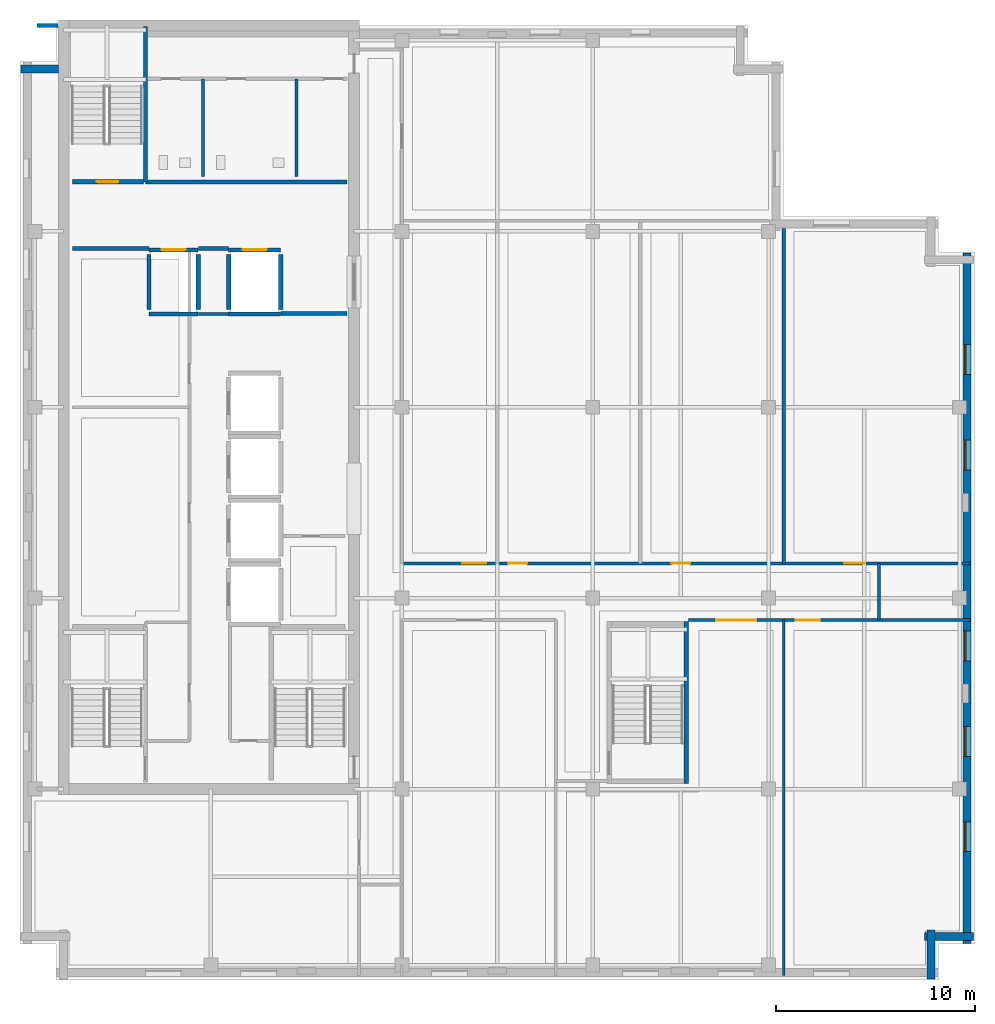
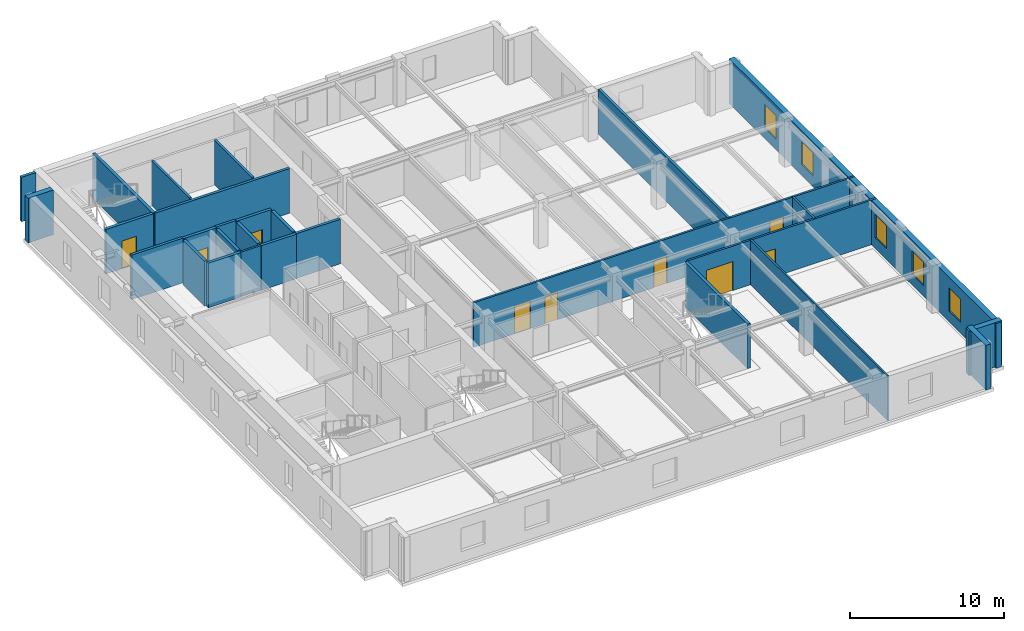
# One storey, part 5 of 11: 28 walls, 9 doors, 5 windows, 14 openings.
"""IFC4 building model written with IfcOpenShell, lengths in metres."""

from ifc_helpers import new_model, si_unit, direction, frame, frame_2d, origin, place, context, subcontext, project, spatial, rectangle, extrude, material, layer, layer_set, type_object, element, fill, save


model = new_model("IFC4")

# Units and contexts
model_context = context("Model", 3, precision=1e-05, world=origin(), true_north=direction((0.0, 1.0)))
body_context = subcontext(model_context, "Body", "Model", "MODEL_VIEW")
ifc_project = project(units=[si_unit("LENGTHUNIT", "METRE"), si_unit("AREAUNIT", "SQUARE_METRE"), si_unit("VOLUMEUNIT", "CUBIC_METRE"), si_unit("PLANEANGLEUNIT", "RADIAN"), si_unit("MASSUNIT", "GRAM", prefix="KILO")], contexts=[model_context])

# Site, building, storey
site_placement = place(None, origin())
site = spatial("IfcSite", under=ifc_project, at=site_placement, CompositionType="ELEMENT")
building_placement = place(site_placement, origin())
building = spatial("IfcBuilding", under=site, at=building_placement, Name="Norrvale University Quadrangle", CompositionType="ELEMENT")
storey_placement = place(building_placement, frame((0.0, 0.0, 284.800048828125)))
storey = spatial("IfcBuildingStorey", under=building, at=storey_placement, Name="L72", CompositionType="ELEMENT", Elevation=284.800048828125)

# Walls
ifc_material_1 = material(Name="Standard Academic Gypsum Partition")
ifc_layer_1 = layer(ifc_material_1, 0.125, Name="Standard Academic Gypsum Partition")
ifc_layer_set_1 = layer_set([ifc_layer_1], Name="Standard Academic Gypsum Partition")
wall_type_1 = type_object("IfcWallType", Name="Wall Gypsum Academic 125", PredefinedType="PARTITIONING", material=ifc_layer_set_1)
wall_1_placement = place(storey_placement, frame((38.39990234375, 0.219970703125, 0.0), z_axis=(0.0, 0.0, 1.0), x_axis=(0.0, 1.0, 0.0)))
element("IfcWall", 1, at=wall_1_placement, inside=storey, type_object=wall_type_1, Name="Interior Partition WL-L72-SEP2", PredefinedType="PARTITIONING", context=body_context, shape_type="SweptSolid", body=[
    extrude(rectangle(XDim=17.880126953125, YDim=0.125, at=frame_2d((8.93994140625, 0.0))), origin(), (0.0, 0.0, 1.0), 3.5400390625),
])
ifc_material_2 = material(Name="Fire-Rated Gypsum Stud Partition")
ifc_layer_2 = layer(ifc_material_2, 0.14990234375, Name="Fire-Rated Gypsum Stud Partition")
ifc_layer_set_2 = layer_set([ifc_layer_2], Name="Fire-Rated Gypsum Stud Partition")
wall_type_2 = type_object("IfcWallType", Name="Wall Gypsum Corridor 150", PredefinedType="PARTITIONING", material=ifc_layer_set_2)
wall_2_placement = place(storey_placement, frame((8.965087890625, 33.489990234375, 0.0), z_axis=(0.0, 0.0, 1.0), x_axis=(1.0, 0.0, 0.0)))
element("IfcWall", 2, at=wall_2_placement, inside=storey, type_object=wall_type_2, Name="Interior Partition WL-L72-LL3", PredefinedType="PARTITIONING", context=body_context, shape_type="SweptSolid", body=[
    extrude(rectangle(XDim=1.52001953125, YDim=0.14990234375, at=frame_2d((0.760009765625, 0.0))), origin(), (0.0, 0.0, 1.0), 3.5400390625),
])
wall_3_placement = place(storey_placement, frame((43.199951171875, 18.10009765625, 0.0), z_axis=(0.0, 0.0, 1.0), x_axis=(0.0, 1.0, 0.0)))
element("IfcWall", 3, at=wall_3_placement, inside=storey, type_object=wall_type_2, Name="Interior Partition WL-L72-CESP-E", PredefinedType="PARTITIONING", context=body_context, shape_type="SweptSolid", body=[
    extrude(rectangle(XDim=2.849853515625, YDim=0.14990234375, at=frame_2d((1.4248046875, 0.0))), origin(), (0.0, 0.0, 1.0), 3.5400390625),
])

# Wall, openings, doors
wall_4_placement = place(storey_placement, frame((33.6201171875, 18.10009765625, 0.0), z_axis=(0.0, 0.0, 1.0), x_axis=(1.0, 0.0, 0.0)))
wall_4 = element("IfcWall", 4, at=wall_4_placement, inside=storey, type_object=wall_type_2, Name="Interior Partition WL-L72-SEW2", PredefinedType="PARTITIONING", context=body_context, shape_type="SweptSolid", body=[
    extrude(rectangle(XDim=14.159912109375, YDim=0.14990234375, at=frame_2d((7.080078125, 0.0))), origin(), (0.0, 0.0, 1.0), 3.5400390625),
])
opening_1_placement = place(wall_4_placement, frame((1.39990234375, 0.0, 0.0)))
opening_1 = element("IfcOpeningElement", 5, at=opening_1_placement, cuts=wall_4, Name="Opening D06", PredefinedType="OPENING", context=body_context, shape_type="SweptSolid", body=[
    extrude(rectangle(XDim=2.0, YDim=2.300048828125, at=frame_2d((1.0, 1.14990234375))), frame((0.0, 0.0869140625, 0.0), z_axis=(0.0, -1.0, 0.0), x_axis=(1.0, 0.0, 0.0)), (0.0, 0.0, 1.0), 0.173828125),
])
opening_2_placement = place(wall_4_placement, frame((5.39990234375, 0.0, 0.0)))
opening_2 = element("IfcOpeningElement", 6, at=opening_2_placement, cuts=wall_4, Name="Opening D05", PredefinedType="OPENING", context=body_context, shape_type="SweptSolid", body=[
    extrude(rectangle(XDim=1.199951171875, YDim=2.199951171875, at=frame_2d((0.60009765625, 1.10009765625))), frame((0.0, 0.0869140625, 0.0), z_axis=(0.0, -1.0, 0.0), x_axis=(1.0, 0.0, 0.0)), (0.0, 0.0, 1.0), 0.173828125),
])
ifc_material_3 = material(Name="Acoustic Oak Classroom Door", Category="wood")
door_type_1 = type_object("IfcDoorType", Name="Door Classroom 1200x2200", OperationType="NOTDEFINED", PredefinedType="DOOR", material=ifc_material_3)
door_1_placement = place(opening_2_placement, origin())
door_1 = element("IfcDoor", 7, at=door_1_placement, inside=storey, type_object=door_type_1, Name="Door Classroom 1200x2200 DR-L72-SE3", OperationType="SINGLE_SWING_LEFT", OverallHeight=2.199951171875, OverallWidth=1.199951171875, PredefinedType="DOOR", context=body_context, shape_type="SweptSolid", body=[
    extrude(rectangle(XDim=1.199951171875, YDim=2.199951171875, at=frame_2d((0.60009765625, 1.10009765625))), frame((0.0, 0.02490234375, 0.0), z_axis=(0.0, -1.0, 0.0), x_axis=(1.0, 0.0, 0.0)), (0.0, 0.0, 1.0), 0.050048828125),
])
fill(opening_2, door_1)
ifc_material_4 = material(Name="Acoustic Oak Double Door", Category="wood")
door_type_2 = type_object("IfcDoorType", Name="Door Lecture Dbl 2000x2300", OperationType="DOUBLE_SWING_LEFT", PredefinedType="DOOR", material=ifc_material_4)
door_2_placement = place(opening_1_placement, origin())
door_2 = element("IfcDoor", 8, at=door_2_placement, inside=storey, type_object=door_type_2, Name="Door Lecture Dbl 2000x2300 DR-L72-SE2", OperationType="DOUBLE_SWING_LEFT", OverallHeight=2.300048828125, OverallWidth=2.0, PredefinedType="DOOR", context=body_context, shape_type="SweptSolid", body=[
    extrude(rectangle(XDim=2.0, YDim=2.300048828125, at=frame_2d((1.0, 1.14990234375))), frame((0.0, 0.02490234375, 0.0), z_axis=(0.0, -1.0, 0.0), x_axis=(1.0, 0.0, 0.0)), (0.0, 0.0, 1.0), 0.050048828125),
])
fill(opening_1, door_2)

wall_5_placement = place(storey_placement, frame((19.199951171875, 20.949951171875, 0.0), z_axis=(0.0, 0.0, 1.0), x_axis=(1.0, 0.0, 0.0)))
wall_5 = element("IfcWall", 9, at=wall_5_placement, inside=storey, type_object=wall_type_2, Name="Interior Partition WL-L72-MECW", PredefinedType="PARTITIONING", context=body_context, shape_type="SweptSolid", body=[
    extrude(rectangle(XDim=28.580078125, YDim=0.14990234375, at=frame_2d((14.2900390625, 0.0))), origin(), (0.0, 0.0, 1.0), 3.5400390625),
])
opening_3_placement = place(wall_5_placement, frame((3.050048828125, 0.0, 0.0)))
opening_3 = element("IfcOpeningElement", 10, at=opening_3_placement, cuts=wall_5, Name="Opening D05", PredefinedType="OPENING", context=body_context, shape_type="SweptSolid", body=[
    extrude(rectangle(XDim=1.199951171875, YDim=2.199951171875, at=frame_2d((0.60009765625, 1.10009765625))), frame((0.0, 0.0869140625, 0.0), z_axis=(0.0, -1.0, 0.0), x_axis=(1.0, 0.0, 0.0)), (0.0, 0.0, 1.0), 0.173828125),
])
opening_4_placement = place(wall_5_placement, frame((5.35009765625, 0.0, 0.0)))
opening_4 = element("IfcOpeningElement", 11, at=opening_4_placement, cuts=wall_5, Name="Opening D07", PredefinedType="OPENING", context=body_context, shape_type="SweptSolid", body=[
    extrude(rectangle(XDim=0.949951171875, YDim=2.14990234375, at=frame_2d((0.47509765625, 1.074951171875))), frame((0.0, 0.0869140625, 0.0), z_axis=(0.0, -1.0, 0.0), x_axis=(1.0, 0.0, 0.0)), (0.0, 0.0, 1.0), 0.173828125),
])
opening_5_placement = place(wall_5_placement, frame((13.550048828125, 0.0, 0.0)))
opening_5 = element("IfcOpeningElement", 12, at=opening_5_placement, cuts=wall_5, Name="Opening D07", PredefinedType="OPENING", context=body_context, shape_type="SweptSolid", body=[
    extrude(rectangle(XDim=0.949951171875, YDim=2.14990234375, at=frame_2d((0.47509765625, 1.074951171875))), frame((0.0, 0.0869140625, 0.0), z_axis=(0.0, -1.0, 0.0), x_axis=(1.0, 0.0, 0.0)), (0.0, 0.0, 1.0), 0.173828125),
])
opening_6_placement = place(wall_5_placement, frame((22.25, 0.0, 0.0)))
opening_6 = element("IfcOpeningElement", 13, at=opening_6_placement, cuts=wall_5, Name="Opening D04", PredefinedType="OPENING", context=body_context, shape_type="SweptSolid", body=[
    extrude(rectangle(XDim=1.0, YDim=2.199951171875, at=frame_2d((0.5, 1.10009765625))), frame((0.0, 0.0869140625, 0.0), z_axis=(0.0, -1.0, 0.0), x_axis=(1.0, 0.0, 0.0)), (0.0, 0.0, 1.0), 0.173828125),
])
door_3_placement = place(opening_3_placement, origin())
door_3 = element("IfcDoor", 14, at=door_3_placement, inside=storey, type_object=door_type_1, Name="Door Classroom 1200x2200 DR-L72-ME01", OperationType="SINGLE_SWING_LEFT", OverallHeight=2.199951171875, OverallWidth=1.199951171875, PredefinedType="DOOR", context=body_context, shape_type="SweptSolid", body=[
    extrude(rectangle(XDim=1.199951171875, YDim=2.199951171875, at=frame_2d((0.60009765625, 1.10009765625))), frame((0.0, 0.02490234375, 0.0), z_axis=(0.0, -1.0, 0.0), x_axis=(1.0, 0.0, 0.0)), (0.0, 0.0, 1.0), 0.050048828125),
])
fill(opening_3, door_3)
ifc_material_5 = material(Name="Solid-Core Oak Fire Door", Category="wood")
door_type_3 = type_object("IfcDoorType", Name="Door Corridor 1000x2200", OperationType="NOTDEFINED", PredefinedType="DOOR", material=ifc_material_5)
door_4_placement = place(opening_6_placement, origin())
door_4 = element("IfcDoor", 15, at=door_4_placement, inside=storey, type_object=door_type_3, Name="Door Corridor 1000x2200 DR-L72-ME04", OperationType="SINGLE_SWING_RIGHT", OverallHeight=2.199951171875, OverallWidth=1.0, PredefinedType="DOOR", context=body_context, shape_type="SweptSolid", body=[
    extrude(rectangle(XDim=1.0, YDim=2.199951171875, at=frame_2d((0.5, 1.10009765625))), frame((0.0, 0.02490234375, 0.0), z_axis=(0.0, -1.0, 0.0), x_axis=(1.0, 0.0, 0.0)), (0.0, 0.0, 1.0), 0.050048828125),
])
fill(opening_6, door_4)
ifc_material_6 = material(Name="Solid-Core Maple Door", Category="wood")
door_type_4 = type_object("IfcDoorType", Name="Door Office 950x2150", OperationType="NOTDEFINED", PredefinedType="DOOR", material=ifc_material_6)
door_5_placement = place(opening_4_placement, origin())
door_5 = element("IfcDoor", 16, at=door_5_placement, inside=storey, type_object=door_type_4, Name="Door Office 950x2150 DR-L72-ME02", OperationType="SINGLE_SWING_RIGHT", OverallHeight=2.14990234375, OverallWidth=0.949951171875, PredefinedType="DOOR", context=body_context, shape_type="SweptSolid", body=[
    extrude(rectangle(XDim=0.949951171875, YDim=2.14990234375, at=frame_2d((0.47509765625, 1.074951171875))), frame((0.0, 0.02490234375, 0.0), z_axis=(0.0, -1.0, 0.0), x_axis=(1.0, 0.0, 0.0)), (0.0, 0.0, 1.0), 0.050048828125),
])
fill(opening_4, door_5)
door_6_placement = place(opening_5_placement, origin())
door_6 = element("IfcDoor", 17, at=door_6_placement, inside=storey, type_object=door_type_4, Name="Door Office 950x2150 DR-L72-ME03", OperationType="SINGLE_SWING_LEFT", OverallHeight=2.14990234375, OverallWidth=0.949951171875, PredefinedType="DOOR", context=body_context, shape_type="SweptSolid", body=[
    extrude(rectangle(XDim=0.949951171875, YDim=2.14990234375, at=frame_2d((0.47509765625, 1.074951171875))), frame((0.0, 0.02490234375, 0.0), z_axis=(0.0, -1.0, 0.0), x_axis=(1.0, 0.0, 0.0)), (0.0, 0.0, 1.0), 0.050048828125),
])
fill(opening_5, door_6)

# Walls
ifc_material_7 = material(Name="Acoustic Double-Stud Gypsum Partition")
ifc_layer_3 = layer(ifc_material_7, 0.179931640625, Name="Acoustic Double-Stud Gypsum Partition")
ifc_layer_set_3 = layer_set([ifc_layer_3], Name="Acoustic Double-Stud Gypsum Partition")
wall_type_3 = type_object("IfcWallType", Name="Wall Gypsum Lecture 180", PredefinedType="PARTITIONING", material=ifc_layer_set_3)
wall_6_placement = place(storey_placement, frame((38.39990234375, 20.949951171875, 0.0), z_axis=(0.0, 0.0, 1.0), x_axis=(0.0, 1.0, 0.0)))
element("IfcWall", 18, at=wall_6_placement, inside=storey, type_object=wall_type_3, Name="Interior Partition WL-L72-MEP03", PredefinedType="PARTITIONING", context=body_context, shape_type="SweptSolid", body=[
    extrude(rectangle(XDim=16.840087890625, YDim=0.179931640625, at=frame_2d((8.419921875, 0.0))), origin(), (0.0, 0.0, 1.0), 3.5400390625),
])
ifc_material_8 = material(Name="Sanitary Chase Gypsum Partition")
ifc_layer_4 = layer(ifc_material_8, 0.1650390625, Name="Sanitary Chase Gypsum Partition")
ifc_layer_set_4 = layer_set([ifc_layer_4], Name="Sanitary Chase Gypsum Partition")
wall_type_4 = type_object("IfcWallType", Name="Wall Gypsum Sanitary 165", PredefinedType="PLUMBINGWALL", material=ifc_layer_set_4)
for number, where, z_axis, x_axis, name in (
    (19, (9.199951171875, 40.39990234375, 0.0), (0.0, 0.0, 1.0), (0.0, 1.0, 0.0), "Interior Partition WL-L72-WCM1"),
    (20, (13.89990234375, 40.39990234375, 0.0), (0.0, 0.0, 1.0), (0.0, 1.0, 0.0), "Interior Partition WL-L72-WCM2"),
):
    element("IfcWall", number, at=place(storey_placement, frame(where, z_axis=z_axis, x_axis=x_axis)), inside=storey, type_object=wall_type_4, Name=name, PredefinedType="PLUMBINGWALL", context=body_context, shape_type="SweptSolid", body=[
        extrude(rectangle(XDim=4.920166015625, YDim=0.1650390625, at=frame_2d((2.4599609375, 0.0))), origin(), (0.0, 0.0, 1.0), 3.5400390625),
    ])
ifc_material_9 = material(Name="Concrete Blockwork 20 MPa Rated Wall", Category="masonry")
ifc_layer_5 = layer(ifc_material_9, 0.199951171875, Name="Concrete Blockwork 20 MPa Rated Wall")
ifc_layer_set_5 = layer_set([ifc_layer_5], Name="Concrete Blockwork 20 MPa Rated Wall")
wall_type_5 = type_object("IfcWallType", Name="Wall Lobby 200", PredefinedType="SOLIDWALL", material=ifc_layer_set_5)
wall_7_placement = place(storey_placement, frame((2.64990234375, 36.780029296875, 0.0), z_axis=(0.0, 0.0, 1.0), x_axis=(1.0, 0.0, 0.0)))
element("IfcWall", 21, at=wall_7_placement, inside=storey, type_object=wall_type_5, Name="Interior Partition WL-L72-FF1", PredefinedType="SOLIDWALL", context=body_context, shape_type="SweptSolid", body=[
    extrude(rectangle(XDim=3.830078125, YDim=0.199951171875, at=frame_2d((1.9150390625, 0.0))), origin(), (0.0, 0.0, 1.0), 3.5400390625),
])
wall_8_placement = place(storey_placement, frame((8.969970703125, 36.780029296875, 0.0), z_axis=(0.0, 0.0, 1.0), x_axis=(1.0, 0.0, 0.0)))
element("IfcWall", 22, at=wall_8_placement, inside=storey, type_object=wall_type_5, Name="Interior Partition WL-L72-FF2", PredefinedType="SOLIDWALL", context=body_context, shape_type="SweptSolid", body=[
    extrude(rectangle(XDim=1.510009765625, YDim=0.199951171875, at=frame_2d((0.7548828125, 0.0))), origin(), (0.0, 0.0, 1.0), 3.5400390625),
])
wall_9_placement = place(storey_placement, frame((13.1201171875, 33.52001953125, 0.0), z_axis=(0.0, 0.0, 1.0), x_axis=(1.0, 0.0, 0.0)))
element("IfcWall", 23, at=wall_9_placement, inside=storey, type_object=wall_type_5, Name="Interior Partition WL-L72-FF3", PredefinedType="SOLIDWALL", context=body_context, shape_type="SweptSolid", body=[
    extrude(rectangle(XDim=3.329833984375, YDim=0.199951171875, at=frame_2d((1.6650390625, 0.0))), origin(), (0.0, 0.0, 1.0), 3.5400390625),
])
wall_10_placement = place(storey_placement, frame((6.320068359375, 40.139892578125, 0.0), z_axis=(0.0, 0.0, 1.0), x_axis=(1.0, 0.0, 0.0)))
element("IfcWall", 24, at=wall_10_placement, inside=storey, type_object=wall_type_5, Name="Interior Partition WL-L72-FF4", PredefinedType="SOLIDWALL", context=body_context, shape_type="SweptSolid", body=[
    extrude(rectangle(XDim=10.1298828125, YDim=0.199951171875, at=frame_2d((5.06494140625, 0.0))), origin(), (0.0, 0.0, 1.0), 3.5400390625),
])
wall_11_placement = place(storey_placement, frame((0.85009765625, 48.0, 0.0), z_axis=(0.0, 0.0, 1.0), x_axis=(1.0, 0.0, 0.0)))
element("IfcWall", 25, at=wall_11_placement, inside=storey, type_object=wall_type_5, Name="Interior Partition WL-L72-CWRET-N", PredefinedType="SOLIDWALL", context=body_context, shape_type="SweptSolid", body=[
    extrude(rectangle(XDim=1.06982421875, YDim=0.199951171875, at=frame_2d((0.534912109375, 0.0))), origin(), (0.0, 0.0, 1.0), 3.5400390625),
])
ifc_material_10 = material(Name="Red Manganese Brick Masonry", Category="masonry")
ifc_layer_6 = layer(ifc_material_10, 0.39990234375, Name="Red Manganese Brick Masonry")
ifc_layer_set_6 = layer_set([ifc_layer_6], Name="Red Manganese Brick Masonry")
wall_type_6 = type_object("IfcWallType", Name="Wall Red Brick 400", PredefinedType="SOLIDWALL", material=ifc_layer_set_6)
for number, where, z_axis, x_axis, name in (
    (26, (45.820068359375, 0.0400390625, 0.0), (0.0, 0.0, 1.0), (0.0, 1.0, 0.0), "Exterior Brick Facade Wall L72-02.1"),
    (27, (45.47998046875, 2.179931640625, 0.0), (0.0, 0.0, 1.0), (1.0, 0.0, 0.0), "Exterior Brick Facade Wall L72-03.1"),
):
    element("IfcWall", number, at=place(storey_placement, frame(where, z_axis=z_axis, x_axis=x_axis)), inside=storey, type_object=wall_type_6, Name=name, PredefinedType="SOLIDWALL", context=body_context, shape_type="SweptSolid", body=[
        extrude(rectangle(XDim=2.47998046875, YDim=0.39990234375, at=frame_2d((1.239990234375, 0.0))), origin(), (0.0, 0.0, 1.0), 3.5400390625),
    ])

# Wall, openings, windows
wall_12_placement = place(storey_placement, frame((47.6201171875, 1.840087890625, 0.0), z_axis=(0.0, 0.0, 1.0), x_axis=(0.0, 1.0, 0.0)))
wall_12 = element("IfcWall", 28, at=wall_12_placement, inside=storey, type_object=wall_type_6, Name="Exterior Brick Facade Wall L72-04.1", PredefinedType="SOLIDWALL", context=body_context, shape_type="SweptSolid", body=[
    extrude(rectangle(XDim=34.719970703125, YDim=0.39990234375, at=frame_2d((17.35986328125, 0.0))), origin(), (0.0, 0.0, 1.0), 3.5400390625),
])
opening_7_placement = place(wall_12_placement, frame((4.610107421875, 0.0, 0.85009765625)))
opening_7 = element("IfcOpeningElement", 29, at=opening_7_placement, cuts=wall_12, Name="Opening W03", PredefinedType="OPENING", context=body_context, shape_type="SweptSolid", body=[
    extrude(rectangle(XDim=1.5, YDim=1.85009765625, at=frame_2d((0.75, 0.925048828125))), frame((0.0, 0.2119140625, 0.0), z_axis=(0.0, -1.0, 0.0), x_axis=(1.0, 0.0, 0.0)), (0.0, 0.0, 1.0), 0.423828125),
])
opening_8_placement = place(wall_12_placement, frame((9.409912109375, 0.0, 0.85009765625)))
opening_8 = element("IfcOpeningElement", 30, at=opening_8_placement, cuts=wall_12, Name="Opening W03", PredefinedType="OPENING", context=body_context, shape_type="SweptSolid", body=[
    extrude(rectangle(XDim=1.5, YDim=1.85009765625, at=frame_2d((0.75, 0.925048828125))), frame((0.0, 0.2119140625, 0.0), z_axis=(0.0, -1.0, 0.0), x_axis=(1.0, 0.0, 0.0)), (0.0, 0.0, 1.0), 0.423828125),
])
opening_9_placement = place(wall_12_placement, frame((14.2099609375, 0.0, 0.85009765625)))
opening_9 = element("IfcOpeningElement", 31, at=opening_9_placement, cuts=wall_12, Name="Opening W03", PredefinedType="OPENING", context=body_context, shape_type="SweptSolid", body=[
    extrude(rectangle(XDim=1.5, YDim=1.85009765625, at=frame_2d((0.75, 0.925048828125))), frame((0.0, 0.2119140625, 0.0), z_axis=(0.0, -1.0, 0.0), x_axis=(1.0, 0.0, 0.0)), (0.0, 0.0, 1.0), 0.423828125),
])
opening_10_placement = place(wall_12_placement, frame((23.81005859375, 0.0, 0.85009765625)))
opening_10 = element("IfcOpeningElement", 32, at=opening_10_placement, cuts=wall_12, Name="Opening W03", PredefinedType="OPENING", context=body_context, shape_type="SweptSolid", body=[
    extrude(rectangle(XDim=1.5, YDim=1.85009765625, at=frame_2d((0.75, 0.925048828125))), frame((0.0, 0.2119140625, 0.0), z_axis=(0.0, -1.0, 0.0), x_axis=(1.0, 0.0, 0.0)), (0.0, 0.0, 1.0), 0.423828125),
])
opening_11_placement = place(wall_12_placement, frame((28.610107421875, 0.0, 0.85009765625)))
opening_11 = element("IfcOpeningElement", 33, at=opening_11_placement, cuts=wall_12, Name="Opening W03", PredefinedType="OPENING", context=body_context, shape_type="SweptSolid", body=[
    extrude(rectangle(XDim=1.5, YDim=1.85009765625, at=frame_2d((0.75, 0.925048828125))), frame((0.0, 0.2119140625, 0.0), z_axis=(0.0, -1.0, 0.0), x_axis=(1.0, 0.0, 0.0)), (0.0, 0.0, 1.0), 0.423828125),
])
ifc_material_11 = material(Name="Triple Low-E Argon Glazing", Category="glass")
window_type = type_object("IfcWindowType", Name="Window Studio 1500x2300", PartitioningType="DOUBLE_PANEL_VERTICAL", PredefinedType="WINDOW", material=ifc_material_11)
window_1_placement = place(opening_7_placement, origin())
window_1 = element("IfcWindow", 34, at=window_1_placement, inside=storey, type_object=window_type, Name="Window Studio 1500x2300 WIN-L72-E04-1-01", OverallHeight=1.85009765625, OverallWidth=1.5, PartitioningType="DOUBLE_PANEL_VERTICAL", PredefinedType="WINDOW", context=body_context, shape_type="SweptSolid", body=[
    extrude(rectangle(XDim=1.5, YDim=1.85009765625, at=frame_2d((0.75, 0.925048828125))), frame((0.0, 0.110107421875, 0.0), z_axis=(0.0, -1.0, 0.0), x_axis=(1.0, 0.0, 0.0)), (0.0, 0.0, 1.0), 0.06005859375),
])
fill(opening_7, window_1)
window_2_placement = place(opening_8_placement, origin())
window_2 = element("IfcWindow", 35, at=window_2_placement, inside=storey, type_object=window_type, Name="Window Studio 1500x2300 WIN-L72-E04-1-02", OverallHeight=1.85009765625, OverallWidth=1.5, PartitioningType="DOUBLE_PANEL_VERTICAL", PredefinedType="WINDOW", context=body_context, shape_type="SweptSolid", body=[
    extrude(rectangle(XDim=1.5, YDim=1.85009765625, at=frame_2d((0.75, 0.925048828125))), frame((0.0, 0.110107421875, 0.0), z_axis=(0.0, -1.0, 0.0), x_axis=(1.0, 0.0, 0.0)), (0.0, 0.0, 1.0), 0.06005859375),
])
fill(opening_8, window_2)
window_3_placement = place(opening_9_placement, origin())
window_3 = element("IfcWindow", 36, at=window_3_placement, inside=storey, type_object=window_type, Name="Window Studio 1500x2300 WIN-L72-E04-1-03", OverallHeight=1.85009765625, OverallWidth=1.5, PartitioningType="DOUBLE_PANEL_VERTICAL", PredefinedType="WINDOW", context=body_context, shape_type="SweptSolid", body=[
    extrude(rectangle(XDim=1.5, YDim=1.85009765625, at=frame_2d((0.75, 0.925048828125))), frame((0.0, 0.110107421875, 0.0), z_axis=(0.0, -1.0, 0.0), x_axis=(1.0, 0.0, 0.0)), (0.0, 0.0, 1.0), 0.06005859375),
])
fill(opening_9, window_3)
window_4_placement = place(opening_10_placement, origin())
window_4 = element("IfcWindow", 37, at=window_4_placement, inside=storey, type_object=window_type, Name="Window Studio 1500x2300 WIN-L72-E04-1-04", OverallHeight=1.85009765625, OverallWidth=1.5, PartitioningType="DOUBLE_PANEL_VERTICAL", PredefinedType="WINDOW", context=body_context, shape_type="SweptSolid", body=[
    extrude(rectangle(XDim=1.5, YDim=1.85009765625, at=frame_2d((0.75, 0.925048828125))), frame((0.0, 0.110107421875, 0.0), z_axis=(0.0, -1.0, 0.0), x_axis=(1.0, 0.0, 0.0)), (0.0, 0.0, 1.0), 0.06005859375),
])
fill(opening_10, window_4)
window_5_placement = place(opening_11_placement, origin())
window_5 = element("IfcWindow", 38, at=window_5_placement, inside=storey, type_object=window_type, Name="Window Studio 1500x2300 WIN-L72-E04-1-05", OverallHeight=1.85009765625, OverallWidth=1.5, PartitioningType="DOUBLE_PANEL_VERTICAL", PredefinedType="WINDOW", context=body_context, shape_type="SweptSolid", body=[
    extrude(rectangle(XDim=1.5, YDim=1.85009765625, at=frame_2d((0.75, 0.925048828125))), frame((0.0, 0.110107421875, 0.0), z_axis=(0.0, -1.0, 0.0), x_axis=(1.0, 0.0, 0.0)), (0.0, 0.0, 1.0), 0.06005859375),
])
fill(opening_11, window_5)

# Wall
wall_13_placement = place(storey_placement, frame((1.925048828125, 45.820068359375, 0.0), z_axis=(0.0, 0.0, 1.0), x_axis=(-1.0, 0.0, 0.0)))
element("IfcWall", 39, at=wall_13_placement, inside=storey, type_object=wall_type_6, Name="Exterior Brick Facade Wall L72-13.1", PredefinedType="SOLIDWALL", context=body_context, shape_type="SweptSolid", body=[
    extrude(rectangle(XDim=1.885009765625, YDim=0.39990234375, at=frame_2d((0.9423828125, 0.0))), origin(), (0.0, 0.0, 1.0), 3.5400390625),
])

# Wall, opening, door
ifc_material_12 = material(Name="Concrete Blockwork 20 MPa Fire Shaft", Category="masonry")
ifc_layer_7 = layer(ifc_material_12, 0.219970703125, Name="Concrete Blockwork 20 MPa Fire Shaft")
ifc_layer_set_7 = layer_set([ifc_layer_7], Name="Concrete Blockwork 20 MPa Fire Shaft")
wall_type_7 = type_object("IfcWallType", Name="Wall Shaft 220", PredefinedType="SOLIDWALL", material=ifc_layer_set_7)
wall_14_placement = place(storey_placement, frame((2.64990234375, 40.139892578125, 0.0), z_axis=(0.0, 0.0, 1.0), x_axis=(1.0, 0.0, 0.0)))
wall_14 = element("IfcWall", 40, at=wall_14_placement, inside=storey, type_object=wall_type_7, Name="Stair ST-02 South Shaft Wall L72", PredefinedType="SOLIDWALL", context=body_context, shape_type="SweptSolid", body=[
    extrude(rectangle(XDim=3.550048828125, YDim=0.219970703125, at=frame_2d((1.77490234375, 0.0))), origin(), (0.0, 0.0, 1.0), 3.5400390625),
])
opening_12_placement = place(wall_14_placement, frame((1.199951171875, 0.0, 0.0)))
opening_12 = element("IfcOpeningElement", 41, at=opening_12_placement, cuts=wall_14, Name="Opening D02", PredefinedType="OPENING", context=body_context, shape_type="SweptSolid", body=[
    extrude(rectangle(XDim=1.10009765625, YDim=2.199951171875, at=frame_2d((0.550048828125, 1.10009765625))), frame((0.0, 0.1220703125, 0.0), z_axis=(0.0, -1.0, 0.0), x_axis=(1.0, 0.0, 0.0)), (0.0, 0.0, 1.0), 0.243896484375),
])
ifc_material_13 = material(Name="Hollow Steel 350W Fire Door", Category="steel")
door_type_5 = type_object("IfcDoorType", Name="Door Stair Exit 1100x2200", OperationType="NOTDEFINED", PredefinedType="DOOR", material=ifc_material_13)
door_7_placement = place(opening_12_placement, origin())
door_7 = element("IfcDoor", 42, at=door_7_placement, inside=storey, type_object=door_type_5, Name="Door Stair Exit 1100x2200 DR-L72-ST02", OperationType="SINGLE_SWING_LEFT", OverallHeight=2.199951171875, OverallWidth=1.10009765625, PredefinedType="DOOR", context=body_context, shape_type="SweptSolid", body=[
    extrude(rectangle(XDim=1.10009765625, YDim=2.199951171875, at=frame_2d((0.550048828125, 1.10009765625))), frame((0.0, 0.02490234375, 0.0), z_axis=(0.0, -1.0, 0.0), x_axis=(1.0, 0.0, 0.0)), (0.0, 0.0, 1.0), 0.050048828125),
])
fill(opening_12, door_7)

# Walls
wall_15_placement = place(storey_placement, frame((6.31005859375, 40.139892578125, 0.0), z_axis=(0.0, 0.0, 1.0), x_axis=(0.0, 1.0, 0.0)))
element("IfcWall", 43, at=wall_15_placement, inside=storey, type_object=wall_type_7, Name="Stair ST-02 East Shaft Wall L72", PredefinedType="SOLIDWALL", context=body_context, shape_type="SweptSolid", body=[
    extrude(rectangle(XDim=7.81005859375, YDim=0.219970703125, at=frame_2d((3.905029296875, 0.0))), origin(), (0.0, 0.0, 1.0), 3.5400390625),
])
wall_16_placement = place(storey_placement, frame((33.510009765625, 9.8798828125, 0.0), z_axis=(0.0, 0.0, 1.0), x_axis=(0.0, 1.0, 0.0)))
element("IfcWall", 44, at=wall_16_placement, inside=storey, type_object=wall_type_7, Name="Stair ST-04 East Shaft Wall L72", PredefinedType="SOLIDWALL", context=body_context, shape_type="SweptSolid", body=[
    extrude(rectangle(XDim=8.14013671875, YDim=0.219970703125, at=frame_2d((4.070068359375, 0.0))), origin(), (0.0, 0.0, 1.0), 3.5400390625),
])
for number, where, z_axis, x_axis, name in (
    (45, (6.489990234375, 33.7099609375, 0.0), (0.0, 0.0, 1.0), (0.0, 1.0, 0.0), "Hoistway FFL-01 West Wall L72"),
    (46, (8.9599609375, 33.7099609375, 0.0), (0.0, 0.0, 1.0), (0.0, 1.0, 0.0), "Hoistway FFL-01 East Wall L72"),
):
    element("IfcWall", number, at=place(storey_placement, frame(where, z_axis=z_axis, x_axis=x_axis)), inside=storey, type_object=wall_type_7, Name=name, PredefinedType="SOLIDWALL", context=body_context, shape_type="SweptSolid", body=[
        extrude(rectangle(XDim=2.780029296875, YDim=0.219970703125, at=frame_2d((1.39013671875, 0.0))), origin(), (0.0, 0.0, 1.0), 3.5400390625),
    ])
wall_17_placement = place(storey_placement, frame((6.489990234375, 33.489990234375, 0.0), z_axis=(0.0, 0.0, 1.0), x_axis=(1.0, 0.0, 0.0)))
element("IfcWall", 47, at=wall_17_placement, inside=storey, type_object=wall_type_7, Name="Hoistway FFL-01 South Wall L72", PredefinedType="SOLIDWALL", context=body_context, shape_type="SweptSolid", body=[
    extrude(rectangle(XDim=2.469970703125, YDim=0.219970703125, at=frame_2d((1.23486328125, 0.0))), origin(), (0.0, 0.0, 1.0), 3.5400390625),
])

# Wall, opening, door
wall_18_placement = place(storey_placement, frame((6.489990234375, 36.7099609375, 0.0), z_axis=(0.0, 0.0, 1.0), x_axis=(1.0, 0.0, 0.0)))
wall_18 = element("IfcWall", 48, at=wall_18_placement, inside=storey, type_object=wall_type_7, Name="Hoistway FFL-01 North Wall L72", PredefinedType="SOLIDWALL", context=body_context, shape_type="SweptSolid", body=[
    extrude(rectangle(XDim=2.469970703125, YDim=0.219970703125, at=frame_2d((1.23486328125, 0.0))), origin(), (0.0, 0.0, 1.0), 3.5400390625),
])
opening_13_placement = place(wall_18_placement, frame((0.635009765625, 0.0, 0.0)))
opening_13 = element("IfcOpeningElement", 49, at=opening_13_placement, cuts=wall_18, Name="Opening LD2", PredefinedType="OPENING", context=body_context, shape_type="SweptSolid", body=[
    extrude(rectangle(XDim=1.199951171875, YDim=2.199951171875, at=frame_2d((0.60009765625, 1.10009765625))), frame((0.0, 0.1220703125, 0.0), z_axis=(0.0, -1.0, 0.0), x_axis=(1.0, 0.0, 0.0)), (0.0, 0.0, 1.0), 0.243896484375),
])
ifc_material_14 = material(Name="Stainless Steel 316L Firefighter Lift Door", Category="steel")
door_type_6 = type_object("IfcDoorType", Name="Door Fire Lift 1200x2200", OperationType="DOUBLE_DOOR_SLIDING", PredefinedType="DOOR", material=ifc_material_14)
door_8_placement = place(opening_13_placement, origin())
door_8 = element("IfcDoor", 50, at=door_8_placement, inside=storey, type_object=door_type_6, Name="Elevator Landing Door DR-L72-FFL-01", OperationType="DOUBLE_DOOR_SLIDING", OverallHeight=2.199951171875, OverallWidth=1.199951171875, PredefinedType="DOOR", context=body_context, shape_type="SweptSolid", body=[
    extrude(rectangle(XDim=1.199951171875, YDim=2.199951171875, at=frame_2d((0.60009765625, 1.10009765625))), frame((0.0, 0.02490234375, 0.0), z_axis=(0.0, -1.0, 0.0), x_axis=(1.0, 0.0, 0.0)), (0.0, 0.0, 1.0), 0.050048828125),
])
fill(opening_13, door_8)

# Walls
for number, where, z_axis, x_axis, name in (
    (51, (10.489990234375, 33.7099609375, 0.0), (0.0, 0.0, 1.0), (0.0, 1.0, 0.0), "Hoistway FFL-02 West Wall L72"),
    (52, (13.110107421875, 33.7099609375, 0.0), (0.0, 0.0, 1.0), (0.0, 1.0, 0.0), "Hoistway FFL-02 East Wall L72"),
):
    element("IfcWall", number, at=place(storey_placement, frame(where, z_axis=z_axis, x_axis=x_axis)), inside=storey, type_object=wall_type_7, Name=name, PredefinedType="SOLIDWALL", context=body_context, shape_type="SweptSolid", body=[
        extrude(rectangle(XDim=2.780029296875, YDim=0.219970703125, at=frame_2d((1.39013671875, 0.0))), origin(), (0.0, 0.0, 1.0), 3.5400390625),
    ])
wall_19_placement = place(storey_placement, frame((10.489990234375, 33.489990234375, 0.0), z_axis=(0.0, 0.0, 1.0), x_axis=(1.0, 0.0, 0.0)))
element("IfcWall", 53, at=wall_19_placement, inside=storey, type_object=wall_type_7, Name="Hoistway FFL-02 South Wall L72", PredefinedType="SOLIDWALL", context=body_context, shape_type="SweptSolid", body=[
    extrude(rectangle(XDim=2.6201171875, YDim=0.219970703125, at=frame_2d((1.31005859375, 0.0))), origin(), (0.0, 0.0, 1.0), 3.5400390625),
])

# Wall, opening, door
wall_20_placement = place(storey_placement, frame((10.489990234375, 36.7099609375, 0.0), z_axis=(0.0, 0.0, 1.0), x_axis=(1.0, 0.0, 0.0)))
wall_20 = element("IfcWall", 54, at=wall_20_placement, inside=storey, type_object=wall_type_7, Name="Hoistway FFL-02 North Wall L72", PredefinedType="SOLIDWALL", context=body_context, shape_type="SweptSolid", body=[
    extrude(rectangle(XDim=2.6201171875, YDim=0.219970703125, at=frame_2d((1.31005859375, 0.0))), origin(), (0.0, 0.0, 1.0), 3.5400390625),
])
opening_14_placement = place(wall_20_placement, frame((0.7099609375, 0.0, 0.0)))
opening_14 = element("IfcOpeningElement", 55, at=opening_14_placement, cuts=wall_20, Name="Opening LD2", PredefinedType="OPENING", context=body_context, shape_type="SweptSolid", body=[
    extrude(rectangle(XDim=1.199951171875, YDim=2.199951171875, at=frame_2d((0.60009765625, 1.10009765625))), frame((0.0, 0.1220703125, 0.0), z_axis=(0.0, -1.0, 0.0), x_axis=(1.0, 0.0, 0.0)), (0.0, 0.0, 1.0), 0.243896484375),
])
door_9_placement = place(opening_14_placement, origin())
door_9 = element("IfcDoor", 56, at=door_9_placement, inside=storey, type_object=door_type_6, Name="Elevator Landing Door DR-L72-FFL-02", OperationType="DOUBLE_DOOR_SLIDING", OverallHeight=2.199951171875, OverallWidth=1.199951171875, PredefinedType="DOOR", context=body_context, shape_type="SweptSolid", body=[
    extrude(rectangle(XDim=1.199951171875, YDim=2.199951171875, at=frame_2d((0.60009765625, 1.10009765625))), frame((0.0, 0.02490234375, 0.0), z_axis=(0.0, -1.0, 0.0), x_axis=(1.0, 0.0, 0.0)), (0.0, 0.0, 1.0), 0.050048828125),
])
fill(opening_14, door_9)

save(model, "model.ifc")
